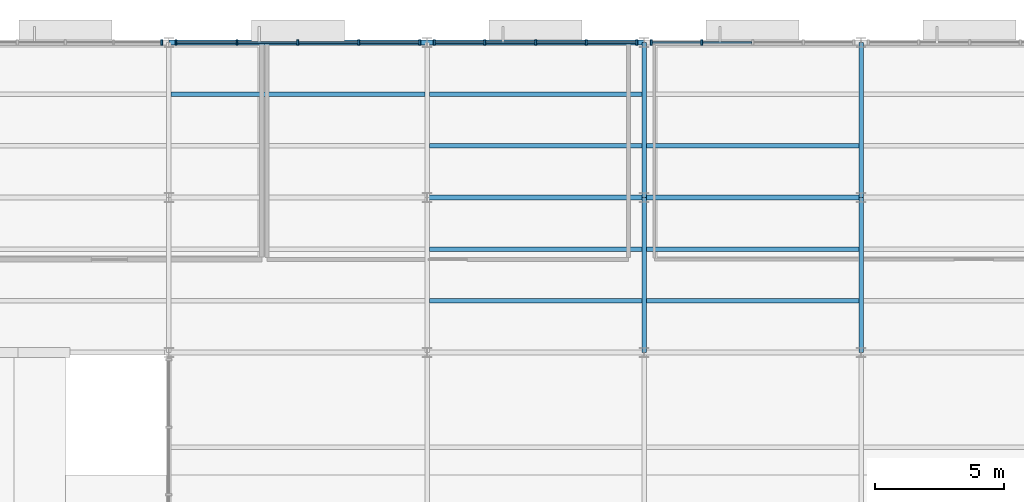
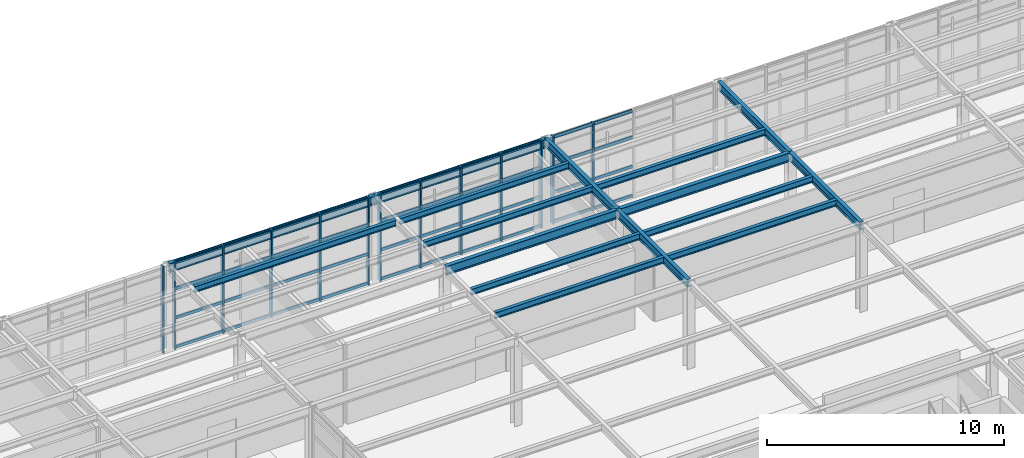
# One storey, part 35 of 82: 53 members, 16 beams, 4 elements without a shape of their own.
"""IFC4 building model written with IfcOpenShell, lengths in metres."""

from ifc_helpers import new_model, si_unit, direction, frame, origin, origin_2d, place, context, subcontext, project, spatial, rectangle, i_section, extrude, material, layer, layer_set, material_profile, profile_set, type_object, element, aggregate, save


model = new_model("IFC4")

# Units and contexts
model_context = context("Model", 3, precision=1e-05, world=origin(), true_north=direction((0.0, 1.0)))
body_context = subcontext(model_context, "Body", "Model", "MODEL_VIEW")
ifc_project = project(units=[si_unit("LENGTHUNIT", "METRE"), si_unit("AREAUNIT", "SQUARE_METRE"), si_unit("VOLUMEUNIT", "CUBIC_METRE"), si_unit("PLANEANGLEUNIT", "RADIAN"), si_unit("MASSUNIT", "GRAM", prefix="KILO")], contexts=[model_context])

# Site, building, storey
site_placement = place(None, origin())
site = spatial("IfcSite", under=ifc_project, at=site_placement, CompositionType="ELEMENT")
building_placement = place(site_placement, origin())
building = spatial("IfcBuilding", under=site, at=building_placement, Name="Sitalva Quay Ferry Terminal", CompositionType="ELEMENT")
storey_placement = place(building_placement, frame((0.0, 0.0, 5.39990234375)))
storey = spatial("IfcBuildingStorey", under=building, at=storey_placement, Name="L02", CompositionType="ELEMENT", Elevation=5.39990234375)

# Beams
ifc_material_1 = material(Name="Structural Steel S355JR", Category="steel")
ifc_material_profile_1 = material_profile(ifc_material_1, i_section(OverallWidth=0.180908203125, OverallDepth=0.4169921875, WebThickness=0.010986328125, FlangeThickness=0.018310546875, FilletRadius=0.012939453125, at=origin_2d()), Name="W410x85")
ifc_profile_set_1 = profile_set([ifc_material_profile_1], Name="Structural Steel S355JR")
beam_type_1 = type_object("IfcBeamType", Name="Beam_W410x85", PredefinedType="BEAM", material=ifc_profile_set_1)
for number, where, z_axis, x_axis, name in (
    (1, (92.39990234375, 100.0, 4.29150390625), (0.0, 1.0, 0.0), (-1.0, 0.0, 0.0), "L02 Primary Y girder 1026"),
    (2, (100.800048828125, 100.0, 4.29150390625), (0.0, 1.0, 0.0), (-1.0, 0.0, 0.0), "L02 Primary Y girder 1029"),
    (3, (92.39990234375, 106.0, 4.29150390625), (0.0, 1.0, 0.0), (-1.0, 0.0, 0.0), "L02 Primary Y girder 1171"),
    (4, (100.800048828125, 106.0, 4.29150390625), (0.0, 1.0, 0.0), (-1.0, 0.0, 0.0), "L02 Primary Y girder 1172"),
):
    element("IfcBeam", number, at=place(storey_placement, frame(where, z_axis=z_axis, x_axis=x_axis)), inside=storey, type_object=beam_type_1, Name=name, PredefinedType="BEAM", context=body_context, shape_type="SweptSolid", body=[
        extrude(i_section(OverallWidth=0.180908203125, OverallDepth=0.4169921875, WebThickness=0.010986328125, FlangeThickness=0.018310546875, FilletRadius=0.012939453125, at=origin_2d()), origin(), (0.0, 0.0, 1.0), 6.0),
    ])
ifc_material_2 = material(Name="Structural Steel S355JR", Category="steel")
ifc_material_profile_2 = material_profile(ifc_material_2, i_section(OverallWidth=0.19091796875, OverallDepth=0.4599609375, WebThickness=0.010009765625, FlangeThickness=0.01611328125, FilletRadius=0.013916015625, at=origin_2d()), Name="W460x82")
ifc_profile_set_2 = profile_set([ifc_material_profile_2], Name="Structural Steel S355JR")
beam_type_2 = type_object("IfcBeamType", Name="Beam_W460x82", PredefinedType="BEAM", material=ifc_profile_set_2)
beam_1_placement = place(storey_placement, frame((84.0, 106.0, 4.27001953125), z_axis=(1.0, 0.0, 0.0), x_axis=(0.0, 1.0, 0.0)))
element("IfcBeam", 5, at=beam_1_placement, inside=storey, type_object=beam_type_2, Name="L02 Primary X girder 1013", PredefinedType="BEAM", context=body_context, shape_type="SweptSolid", body=[
    extrude(i_section(OverallWidth=0.19091796875, OverallDepth=0.4599609375, WebThickness=0.010009765625, FlangeThickness=0.01611328125, FilletRadius=0.013916015625, at=origin_2d()), origin(), (0.0, 0.0, 1.0), 8.39990234375),
])
beam_2_placement = place(storey_placement, frame((92.39990234375, 106.0, 4.27001953125), z_axis=(1.0, 0.0, 0.0), x_axis=(0.0, 1.0, 0.0)))
element("IfcBeam", 6, at=beam_2_placement, inside=storey, type_object=beam_type_2, Name="L02 Primary X girder 1014", PredefinedType="BEAM", context=body_context, shape_type="SweptSolid", body=[
    extrude(i_section(OverallWidth=0.19091796875, OverallDepth=0.4599609375, WebThickness=0.010009765625, FlangeThickness=0.01611328125, FilletRadius=0.013916015625, at=origin_2d()), origin(), (0.0, 0.0, 1.0), 8.400146484375),
])
beam_3_placement = place(storey_placement, frame((74.0, 112.0, 4.27001953125), z_axis=(1.0, 0.0, 0.0), x_axis=(0.0, 1.0, 0.0)))
element("IfcBeam", 7, at=beam_3_placement, inside=storey, type_object=beam_type_2, Name="L02 Primary X girder 1165", PredefinedType="BEAM", context=body_context, shape_type="SweptSolid", body=[
    extrude(i_section(OverallWidth=0.19091796875, OverallDepth=0.4599609375, WebThickness=0.010009765625, FlangeThickness=0.01611328125, FilletRadius=0.013916015625, at=origin_2d()), origin(), (0.0, 0.0, 1.0), 10.0),
])
beam_4_placement = place(storey_placement, frame((84.0, 112.0, 4.27001953125), z_axis=(1.0, 0.0, 0.0), x_axis=(0.0, 1.0, 0.0)))
element("IfcBeam", 8, at=beam_4_placement, inside=storey, type_object=beam_type_2, Name="L02 Primary X girder 1166", PredefinedType="BEAM", context=body_context, shape_type="SweptSolid", body=[
    extrude(i_section(OverallWidth=0.19091796875, OverallDepth=0.4599609375, WebThickness=0.010009765625, FlangeThickness=0.01611328125, FilletRadius=0.013916015625, at=origin_2d()), origin(), (0.0, 0.0, 1.0), 8.39990234375),
])
ifc_material_3 = material(Name="Structural Steel S355JR", Category="steel")
ifc_material_profile_3 = material_profile(ifc_material_3, i_section(OverallWidth=0.166015625, OverallDepth=0.31298828125, WebThickness=0.006591796875, FlangeThickness=0.01123046875, FilletRadius=0.010986328125, at=origin_2d()), Name="W310x45")
ifc_profile_set_3 = profile_set([ifc_material_profile_3], Name="Structural Steel S355JR")
beam_type_3 = type_object("IfcBeamType", Name="Joist_W310x45", PredefinedType="JOIST", material=ifc_profile_set_3)
for number, where, z_axis, x_axis, name in (
    (9, (84.090576171875, 102.0, 4.343505859375), (1.0, 0.0, 0.0), (0.0, 1.0, 0.0), "L02 Secondary joist 1058"),
    (10, (92.490478515625, 102.0, 4.343505859375), (1.0, 0.0, 0.0), (0.0, 1.0, 0.0), "L02 Secondary joist 1059"),
    (11, (84.090576171875, 104.0, 4.343505859375), (1.0, 0.0, 0.0), (0.0, 1.0, 0.0), "L02 Secondary joist 1064"),
    (12, (92.490478515625, 104.0, 4.343505859375), (1.0, 0.0, 0.0), (0.0, 1.0, 0.0), "L02 Secondary joist 1065"),
    (13, (84.090576171875, 108.0, 4.343505859375), (1.0, 0.0, 0.0), (0.0, 1.0, 0.0), "L02 Secondary joist 1176"),
    (14, (92.490478515625, 108.0, 4.343505859375), (1.0, 0.0, 0.0), (0.0, 1.0, 0.0), "L02 Secondary joist 1177"),
):
    element("IfcBeam", number, at=place(storey_placement, frame(where, z_axis=z_axis, x_axis=x_axis)), inside=storey, type_object=beam_type_3, Name=name, PredefinedType="JOIST", context=body_context, shape_type="SweptSolid", body=[
        extrude(i_section(OverallWidth=0.166015625, OverallDepth=0.31298828125, WebThickness=0.006591796875, FlangeThickness=0.01123046875, FilletRadius=0.010986328125, at=origin_2d()), origin(), (0.0, 0.0, 1.0), 8.218994140625),
    ])
beam_5_placement = place(storey_placement, frame((74.090576171875, 110.0, 4.343505859375), z_axis=(1.0, 0.0, 0.0), x_axis=(0.0, 1.0, 0.0)))
element("IfcBeam", 15, at=beam_5_placement, inside=storey, type_object=beam_type_3, Name="L02 Secondary joist 1180", PredefinedType="JOIST", context=body_context, shape_type="SweptSolid", body=[
    extrude(i_section(OverallWidth=0.166015625, OverallDepth=0.31298828125, WebThickness=0.006591796875, FlangeThickness=0.01123046875, FilletRadius=0.010986328125, at=origin_2d()), origin(), (0.0, 0.0, 1.0), 9.81884765625),
])
beam_6_placement = place(storey_placement, frame((84.090576171875, 110.0, 4.343505859375), z_axis=(1.0, 0.0, 0.0), x_axis=(0.0, 1.0, 0.0)))
element("IfcBeam", 16, at=beam_6_placement, inside=storey, type_object=beam_type_3, Name="L02 Secondary joist 1181", PredefinedType="JOIST", context=body_context, shape_type="SweptSolid", body=[
    extrude(i_section(OverallWidth=0.166015625, OverallDepth=0.31298828125, WebThickness=0.006591796875, FlangeThickness=0.01123046875, FilletRadius=0.010986328125, at=origin_2d()), origin(), (0.0, 0.0, 1.0), 8.218994140625),
])

# Curtain wall, member
ifc_material_4 = material(Name="Anodised Aluminium & Low-E Glazing", Category="aluminium")
ifc_layer = layer(ifc_material_4, 0.159912109375)
ifc_layer_set = layer_set([ifc_layer], Name="Anodised Aluminium & Low-E Glazing")
curtain_wall_type = type_object("IfcCurtainWallType", Name="CW_Office_Unitised", PredefinedType="USERDEFINED", material=ifc_layer_set)
curtain_wall_1_placement = place(storey_placement, origin())
curtain_wall_1 = element("IfcCurtainWall", 17, at=curtain_wall_1_placement, inside=storey, type_object=curtain_wall_type, Name="L02 forecourt horizontal curtain wall (CW-L02-118)", ObjectType="CURTAIN_WALL", PredefinedType="USERDEFINED")
ifc_material_5 = material(Name="Anodised Aluminium 6063-T6", Category="aluminium")
ifc_material_profile_4 = material_profile(ifc_material_5, rectangle(XDim=0.074951171875, YDim=0.219970703125, at=origin_2d()), Name="ALU75x220")
ifc_profile_set_4 = profile_set([ifc_material_profile_4], Name="Anodised Aluminium 6063-T6")
member_type_1 = type_object("IfcMemberType", Name="Mullion_Alu_75x160", PredefinedType="MULLION", material=ifc_profile_set_4)
member_1_placement = place(storey_placement, frame((73.719970703125, 112.0, 0.0), z_axis=(0.0, 0.0, 1.0), x_axis=(1.0, 0.0, 0.0)))
member_1 = element("IfcMember", 18, at=member_1_placement, type_object=member_type_1, Name="CW-L02-118-M4", PredefinedType="MULLION", context=body_context, shape_type="SweptSolid", body=[
    extrude(rectangle(XDim=0.074951171875, YDim=0.219970703125, at=origin_2d()), origin(), (0.0, 0.0, 1.0), 4.4501953125),
])
aggregate(curtain_wall_1, [member_1])

# Curtain wall, members
curtain_wall_2_placement = place(storey_placement, origin())
curtain_wall_2 = element("IfcCurtainWall", 19, at=curtain_wall_2_placement, inside=storey, type_object=curtain_wall_type, Name="L02 forecourt horizontal curtain wall (CW-L02-119)", ObjectType="CURTAIN_WALL", PredefinedType="USERDEFINED")
member_2_placement = place(storey_placement, frame((74.280029296875, 112.0, 0.0), z_axis=(0.0, 0.0, 1.0), x_axis=(1.0, 0.0, 0.0)))
member_2 = element("IfcMember", 20, at=member_2_placement, type_object=member_type_1, Name="CW-L02-119-M0", PredefinedType="MULLION", context=body_context, shape_type="SweptSolid", body=[
    extrude(rectangle(XDim=0.074951171875, YDim=0.219970703125, at=origin_2d()), origin(), (0.0, 0.0, 1.0), 4.5),
])
member_3_placement = place(storey_placement, frame((76.639892578125, 112.0, 0.0), z_axis=(0.0, 0.0, 1.0), x_axis=(1.0, 0.0, 0.0)))
member_3 = element("IfcMember", 21, at=member_3_placement, type_object=member_type_1, Name="CW-L02-119-M1", PredefinedType="MULLION", context=body_context, shape_type="SweptSolid", body=[
    extrude(rectangle(XDim=0.074951171875, YDim=0.219970703125, at=origin_2d()), origin(), (0.0, 0.0, 1.0), 4.5),
])
member_4_placement = place(storey_placement, frame((79.0, 112.0, 0.0), z_axis=(0.0, 0.0, 1.0), x_axis=(1.0, 0.0, 0.0)))
member_4 = element("IfcMember", 22, at=member_4_placement, type_object=member_type_1, Name="CW-L02-119-M2", PredefinedType="MULLION", context=body_context, shape_type="SweptSolid", body=[
    extrude(rectangle(XDim=0.074951171875, YDim=0.219970703125, at=origin_2d()), origin(), (0.0, 0.0, 1.0), 4.5),
])
member_5_placement = place(storey_placement, frame((81.360107421875, 112.0, 0.0), z_axis=(0.0, 0.0, 1.0), x_axis=(1.0, 0.0, 0.0)))
member_5 = element("IfcMember", 23, at=member_5_placement, type_object=member_type_1, Name="CW-L02-119-M3", PredefinedType="MULLION", context=body_context, shape_type="SweptSolid", body=[
    extrude(rectangle(XDim=0.074951171875, YDim=0.219970703125, at=origin_2d()), origin(), (0.0, 0.0, 1.0), 4.5),
])
member_6_placement = place(storey_placement, frame((83.719970703125, 112.0, 0.0), z_axis=(0.0, 0.0, 1.0), x_axis=(1.0, 0.0, 0.0)))
member_6 = element("IfcMember", 24, at=member_6_placement, type_object=member_type_1, Name="CW-L02-119-M4", PredefinedType="MULLION", context=body_context, shape_type="SweptSolid", body=[
    extrude(rectangle(XDim=0.074951171875, YDim=0.219970703125, at=origin_2d()), origin(), (0.0, 0.0, 1.0), 4.5),
])

curtain_wall_3_placement = place(storey_placement, origin())
curtain_wall_3 = element("IfcCurtainWall", 25, at=curtain_wall_3_placement, inside=storey, type_object=curtain_wall_type, Name="L02 forecourt horizontal curtain wall (CW-L02-120)", ObjectType="CURTAIN_WALL", PredefinedType="USERDEFINED")
member_7_placement = place(storey_placement, frame((84.280029296875, 112.0, 0.0), z_axis=(0.0, 0.0, 1.0), x_axis=(1.0, 0.0, 0.0)))
member_7 = element("IfcMember", 26, at=member_7_placement, type_object=member_type_1, Name="CW-L02-120-M0", PredefinedType="MULLION", context=body_context, shape_type="SweptSolid", body=[
    extrude(rectangle(XDim=0.074951171875, YDim=0.219970703125, at=origin_2d()), origin(), (0.0, 0.0, 1.0), 4.5),
])
member_8_placement = place(storey_placement, frame((86.239990234375, 112.0, 0.0), z_axis=(0.0, 0.0, 1.0), x_axis=(1.0, 0.0, 0.0)))
member_8 = element("IfcMember", 27, at=member_8_placement, type_object=member_type_1, Name="CW-L02-120-M1", PredefinedType="MULLION", context=body_context, shape_type="SweptSolid", body=[
    extrude(rectangle(XDim=0.074951171875, YDim=0.219970703125, at=origin_2d()), origin(), (0.0, 0.0, 1.0), 4.5),
])
member_9_placement = place(storey_placement, frame((88.199951171875, 112.0, 0.0), z_axis=(0.0, 0.0, 1.0), x_axis=(1.0, 0.0, 0.0)))
member_9 = element("IfcMember", 28, at=member_9_placement, type_object=member_type_1, Name="CW-L02-120-M2", PredefinedType="MULLION", context=body_context, shape_type="SweptSolid", body=[
    extrude(rectangle(XDim=0.074951171875, YDim=0.219970703125, at=origin_2d()), origin(), (0.0, 0.0, 1.0), 4.5),
])
member_10_placement = place(storey_placement, frame((90.159912109375, 112.0, 0.0), z_axis=(0.0, 0.0, 1.0), x_axis=(1.0, 0.0, 0.0)))
member_10 = element("IfcMember", 29, at=member_10_placement, type_object=member_type_1, Name="CW-L02-120-M3", PredefinedType="MULLION", context=body_context, shape_type="SweptSolid", body=[
    extrude(rectangle(XDim=0.074951171875, YDim=0.219970703125, at=origin_2d()), origin(), (0.0, 0.0, 1.0), 4.5),
])
member_11_placement = place(storey_placement, frame((92.1201171875, 112.0, 0.0), z_axis=(0.0, 0.0, 1.0), x_axis=(1.0, 0.0, 0.0)))
member_11 = element("IfcMember", 30, at=member_11_placement, type_object=member_type_1, Name="CW-L02-120-M4", PredefinedType="MULLION", context=body_context, shape_type="SweptSolid", body=[
    extrude(rectangle(XDim=0.074951171875, YDim=0.219970703125, at=origin_2d()), origin(), (0.0, 0.0, 1.0), 4.5),
])

curtain_wall_4_placement = place(storey_placement, origin())
curtain_wall_4 = element("IfcCurtainWall", 31, at=curtain_wall_4_placement, inside=storey, type_object=curtain_wall_type, Name="L02 forecourt horizontal curtain wall (CW-L02-121)", ObjectType="CURTAIN_WALL", PredefinedType="USERDEFINED")
member_12_placement = place(storey_placement, frame((92.679931640625, 112.0, 0.0), z_axis=(0.0, 0.0, 1.0), x_axis=(1.0, 0.0, 0.0)))
member_12 = element("IfcMember", 32, at=member_12_placement, type_object=member_type_1, Name="CW-L02-121-M0", PredefinedType="MULLION", context=body_context, shape_type="SweptSolid", body=[
    extrude(rectangle(XDim=0.074951171875, YDim=0.219970703125, at=origin_2d()), origin(), (0.0, 0.0, 1.0), 4.5),
])
member_13_placement = place(storey_placement, frame((94.639892578125, 112.0, 0.0), z_axis=(0.0, 0.0, 1.0), x_axis=(1.0, 0.0, 0.0)))
member_13 = element("IfcMember", 33, at=member_13_placement, type_object=member_type_1, Name="CW-L02-121-M1", PredefinedType="MULLION", context=body_context, shape_type="SweptSolid", body=[
    extrude(rectangle(XDim=0.074951171875, YDim=0.219970703125, at=origin_2d()), origin(), (0.0, 0.0, 1.0), 4.5),
])

# Member
ifc_material_6 = material(Name="Anodised Aluminium 6063-T6", Category="aluminium")
ifc_material_profile_5 = material_profile(ifc_material_6, rectangle(XDim=0.074951171875, YDim=0.14990234375, at=origin_2d()), Name="ALU75x150")
ifc_profile_set_5 = profile_set([ifc_material_profile_5], Name="Anodised Aluminium 6063-T6")
member_type_2 = type_object("IfcMemberType", Name="Transom_Alu_75x140", PredefinedType="MULLION", material=ifc_profile_set_5)
member_14_placement = place(storey_placement, frame((74.3173828125, 112.0, 0.0751953125), z_axis=(1.0, 0.0, 0.0), x_axis=(0.0, 1.0, 0.0)))
member_14 = element("IfcMember", 34, at=member_14_placement, type_object=member_type_2, Name="CW-L02-119-T0-0", ObjectType="TRANSOM", PredefinedType="USERDEFINED", context=body_context, shape_type="SweptSolid", body=[
    extrude(rectangle(XDim=0.074951171875, YDim=0.14990234375, at=origin_2d()), origin(), (0.0, 0.0, 1.0), 2.28515625),
])

member_15_placement = place(storey_placement, frame((74.3173828125, 112.0, 1.5751953125), z_axis=(1.0, 0.0, 0.0), x_axis=(0.0, 1.0, 0.0)))
member_15 = element("IfcMember", 35, at=member_15_placement, type_object=member_type_2, Name="CW-L02-119-T0-1", ObjectType="TRANSOM", PredefinedType="USERDEFINED", context=body_context, shape_type="SweptSolid", body=[
    extrude(rectangle(XDim=0.074951171875, YDim=0.14990234375, at=origin_2d()), origin(), (0.0, 0.0, 1.0), 2.28515625),
])

member_16_placement = place(storey_placement, frame((74.3173828125, 112.0, 3.0751953125), z_axis=(1.0, 0.0, 0.0), x_axis=(0.0, 1.0, 0.0)))
member_16 = element("IfcMember", 36, at=member_16_placement, type_object=member_type_2, Name="CW-L02-119-T0-2", ObjectType="TRANSOM", PredefinedType="USERDEFINED", context=body_context, shape_type="SweptSolid", body=[
    extrude(rectangle(XDim=0.074951171875, YDim=0.14990234375, at=origin_2d()), origin(), (0.0, 0.0, 1.0), 2.28515625),
])

member_17_placement = place(storey_placement, frame((74.3173828125, 112.0, 4.425048828125), z_axis=(1.0, 0.0, 0.0), x_axis=(0.0, 1.0, 0.0)))
member_17 = element("IfcMember", 37, at=member_17_placement, type_object=member_type_2, Name="CW-L02-119-T0-3", ObjectType="TRANSOM", PredefinedType="USERDEFINED", context=body_context, shape_type="SweptSolid", body=[
    extrude(rectangle(XDim=0.074951171875, YDim=0.14990234375, at=origin_2d()), origin(), (0.0, 0.0, 1.0), 2.28515625),
])

member_18_placement = place(storey_placement, frame((76.677490234375, 112.0, 0.0751953125), z_axis=(1.0, 0.0, 0.0), x_axis=(0.0, 1.0, 0.0)))
member_18 = element("IfcMember", 38, at=member_18_placement, type_object=member_type_2, Name="CW-L02-119-T1-0", ObjectType="TRANSOM", PredefinedType="USERDEFINED", context=body_context, shape_type="SweptSolid", body=[
    extrude(rectangle(XDim=0.074951171875, YDim=0.14990234375, at=origin_2d()), origin(), (0.0, 0.0, 1.0), 2.284912109375),
])

member_19_placement = place(storey_placement, frame((76.677490234375, 112.0, 1.5751953125), z_axis=(1.0, 0.0, 0.0), x_axis=(0.0, 1.0, 0.0)))
member_19 = element("IfcMember", 39, at=member_19_placement, type_object=member_type_2, Name="CW-L02-119-T1-1", ObjectType="TRANSOM", PredefinedType="USERDEFINED", context=body_context, shape_type="SweptSolid", body=[
    extrude(rectangle(XDim=0.074951171875, YDim=0.14990234375, at=origin_2d()), origin(), (0.0, 0.0, 1.0), 2.284912109375),
])

member_20_placement = place(storey_placement, frame((76.677490234375, 112.0, 3.0751953125), z_axis=(1.0, 0.0, 0.0), x_axis=(0.0, 1.0, 0.0)))
member_20 = element("IfcMember", 40, at=member_20_placement, type_object=member_type_2, Name="CW-L02-119-T1-2", ObjectType="TRANSOM", PredefinedType="USERDEFINED", context=body_context, shape_type="SweptSolid", body=[
    extrude(rectangle(XDim=0.074951171875, YDim=0.14990234375, at=origin_2d()), origin(), (0.0, 0.0, 1.0), 2.284912109375),
])

member_21_placement = place(storey_placement, frame((76.677490234375, 112.0, 4.425048828125), z_axis=(1.0, 0.0, 0.0), x_axis=(0.0, 1.0, 0.0)))
member_21 = element("IfcMember", 41, at=member_21_placement, type_object=member_type_2, Name="CW-L02-119-T1-3", ObjectType="TRANSOM", PredefinedType="USERDEFINED", context=body_context, shape_type="SweptSolid", body=[
    extrude(rectangle(XDim=0.074951171875, YDim=0.14990234375, at=origin_2d()), origin(), (0.0, 0.0, 1.0), 2.284912109375),
])

member_22_placement = place(storey_placement, frame((79.03759765625, 112.0, 0.0751953125), z_axis=(1.0, 0.0, 0.0), x_axis=(0.0, 1.0, 0.0)))
member_22 = element("IfcMember", 42, at=member_22_placement, type_object=member_type_2, Name="CW-L02-119-T2-0", ObjectType="TRANSOM", PredefinedType="USERDEFINED", context=body_context, shape_type="SweptSolid", body=[
    extrude(rectangle(XDim=0.074951171875, YDim=0.14990234375, at=origin_2d()), origin(), (0.0, 0.0, 1.0), 2.284912109375),
])

member_23_placement = place(storey_placement, frame((79.03759765625, 112.0, 1.5751953125), z_axis=(1.0, 0.0, 0.0), x_axis=(0.0, 1.0, 0.0)))
member_23 = element("IfcMember", 43, at=member_23_placement, type_object=member_type_2, Name="CW-L02-119-T2-1", ObjectType="TRANSOM", PredefinedType="USERDEFINED", context=body_context, shape_type="SweptSolid", body=[
    extrude(rectangle(XDim=0.074951171875, YDim=0.14990234375, at=origin_2d()), origin(), (0.0, 0.0, 1.0), 2.284912109375),
])

member_24_placement = place(storey_placement, frame((79.03759765625, 112.0, 3.0751953125), z_axis=(1.0, 0.0, 0.0), x_axis=(0.0, 1.0, 0.0)))
member_24 = element("IfcMember", 44, at=member_24_placement, type_object=member_type_2, Name="CW-L02-119-T2-2", ObjectType="TRANSOM", PredefinedType="USERDEFINED", context=body_context, shape_type="SweptSolid", body=[
    extrude(rectangle(XDim=0.074951171875, YDim=0.14990234375, at=origin_2d()), origin(), (0.0, 0.0, 1.0), 2.284912109375),
])

member_25_placement = place(storey_placement, frame((79.03759765625, 112.0, 4.425048828125), z_axis=(1.0, 0.0, 0.0), x_axis=(0.0, 1.0, 0.0)))
member_25 = element("IfcMember", 45, at=member_25_placement, type_object=member_type_2, Name="CW-L02-119-T2-3", ObjectType="TRANSOM", PredefinedType="USERDEFINED", context=body_context, shape_type="SweptSolid", body=[
    extrude(rectangle(XDim=0.074951171875, YDim=0.14990234375, at=origin_2d()), origin(), (0.0, 0.0, 1.0), 2.284912109375),
])

member_26_placement = place(storey_placement, frame((81.3974609375, 112.0, 0.0751953125), z_axis=(1.0, 0.0, 0.0), x_axis=(0.0, 1.0, 0.0)))
member_26 = element("IfcMember", 46, at=member_26_placement, type_object=member_type_2, Name="CW-L02-119-T3-0", ObjectType="TRANSOM", PredefinedType="USERDEFINED", context=body_context, shape_type="SweptSolid", body=[
    extrude(rectangle(XDim=0.074951171875, YDim=0.14990234375, at=origin_2d()), origin(), (0.0, 0.0, 1.0), 2.28515625),
])

member_27_placement = place(storey_placement, frame((81.3974609375, 112.0, 1.5751953125), z_axis=(1.0, 0.0, 0.0), x_axis=(0.0, 1.0, 0.0)))
member_27 = element("IfcMember", 47, at=member_27_placement, type_object=member_type_2, Name="CW-L02-119-T3-1", ObjectType="TRANSOM", PredefinedType="USERDEFINED", context=body_context, shape_type="SweptSolid", body=[
    extrude(rectangle(XDim=0.074951171875, YDim=0.14990234375, at=origin_2d()), origin(), (0.0, 0.0, 1.0), 2.28515625),
])

member_28_placement = place(storey_placement, frame((81.3974609375, 112.0, 3.0751953125), z_axis=(1.0, 0.0, 0.0), x_axis=(0.0, 1.0, 0.0)))
member_28 = element("IfcMember", 48, at=member_28_placement, type_object=member_type_2, Name="CW-L02-119-T3-2", ObjectType="TRANSOM", PredefinedType="USERDEFINED", context=body_context, shape_type="SweptSolid", body=[
    extrude(rectangle(XDim=0.074951171875, YDim=0.14990234375, at=origin_2d()), origin(), (0.0, 0.0, 1.0), 2.28515625),
])

member_29_placement = place(storey_placement, frame((81.3974609375, 112.0, 4.425048828125), z_axis=(1.0, 0.0, 0.0), x_axis=(0.0, 1.0, 0.0)))
member_29 = element("IfcMember", 49, at=member_29_placement, type_object=member_type_2, Name="CW-L02-119-T3-3", ObjectType="TRANSOM", PredefinedType="USERDEFINED", context=body_context, shape_type="SweptSolid", body=[
    extrude(rectangle(XDim=0.074951171875, YDim=0.14990234375, at=origin_2d()), origin(), (0.0, 0.0, 1.0), 2.28515625),
])

aggregate(curtain_wall_2, [member_2, member_3, member_4, member_5, member_6, member_14, member_15, member_16, member_17, member_18, member_19, member_20, member_21, member_22, member_23, member_24, member_25, member_26, member_27, member_28, member_29])

member_30_placement = place(storey_placement, frame((84.3173828125, 112.0, 0.0751953125), z_axis=(1.0, 0.0, 0.0), x_axis=(0.0, 1.0, 0.0)))
member_30 = element("IfcMember", 50, at=member_30_placement, type_object=member_type_2, Name="CW-L02-120-T0-0", ObjectType="TRANSOM", PredefinedType="USERDEFINED", context=body_context, shape_type="SweptSolid", body=[
    extrude(rectangle(XDim=0.074951171875, YDim=0.14990234375, at=origin_2d()), origin(), (0.0, 0.0, 1.0), 1.885009765625),
])

member_31_placement = place(storey_placement, frame((84.3173828125, 112.0, 1.5751953125), z_axis=(1.0, 0.0, 0.0), x_axis=(0.0, 1.0, 0.0)))
member_31 = element("IfcMember", 51, at=member_31_placement, type_object=member_type_2, Name="CW-L02-120-T0-1", ObjectType="TRANSOM", PredefinedType="USERDEFINED", context=body_context, shape_type="SweptSolid", body=[
    extrude(rectangle(XDim=0.074951171875, YDim=0.14990234375, at=origin_2d()), origin(), (0.0, 0.0, 1.0), 1.885009765625),
])

member_32_placement = place(storey_placement, frame((84.3173828125, 112.0, 3.0751953125), z_axis=(1.0, 0.0, 0.0), x_axis=(0.0, 1.0, 0.0)))
member_32 = element("IfcMember", 52, at=member_32_placement, type_object=member_type_2, Name="CW-L02-120-T0-2", ObjectType="TRANSOM", PredefinedType="USERDEFINED", context=body_context, shape_type="SweptSolid", body=[
    extrude(rectangle(XDim=0.074951171875, YDim=0.14990234375, at=origin_2d()), origin(), (0.0, 0.0, 1.0), 1.885009765625),
])

member_33_placement = place(storey_placement, frame((84.3173828125, 112.0, 4.425048828125), z_axis=(1.0, 0.0, 0.0), x_axis=(0.0, 1.0, 0.0)))
member_33 = element("IfcMember", 53, at=member_33_placement, type_object=member_type_2, Name="CW-L02-120-T0-3", ObjectType="TRANSOM", PredefinedType="USERDEFINED", context=body_context, shape_type="SweptSolid", body=[
    extrude(rectangle(XDim=0.074951171875, YDim=0.14990234375, at=origin_2d()), origin(), (0.0, 0.0, 1.0), 1.885009765625),
])

member_34_placement = place(storey_placement, frame((86.277587890625, 112.0, 0.0751953125), z_axis=(1.0, 0.0, 0.0), x_axis=(0.0, 1.0, 0.0)))
member_34 = element("IfcMember", 54, at=member_34_placement, type_object=member_type_2, Name="CW-L02-120-T1-0", ObjectType="TRANSOM", PredefinedType="USERDEFINED", context=body_context, shape_type="SweptSolid", body=[
    extrude(rectangle(XDim=0.074951171875, YDim=0.14990234375, at=origin_2d()), origin(), (0.0, 0.0, 1.0), 1.885009765625),
])

member_35_placement = place(storey_placement, frame((86.277587890625, 112.0, 1.5751953125), z_axis=(1.0, 0.0, 0.0), x_axis=(0.0, 1.0, 0.0)))
member_35 = element("IfcMember", 55, at=member_35_placement, type_object=member_type_2, Name="CW-L02-120-T1-1", ObjectType="TRANSOM", PredefinedType="USERDEFINED", context=body_context, shape_type="SweptSolid", body=[
    extrude(rectangle(XDim=0.074951171875, YDim=0.14990234375, at=origin_2d()), origin(), (0.0, 0.0, 1.0), 1.885009765625),
])

member_36_placement = place(storey_placement, frame((86.277587890625, 112.0, 3.0751953125), z_axis=(1.0, 0.0, 0.0), x_axis=(0.0, 1.0, 0.0)))
member_36 = element("IfcMember", 56, at=member_36_placement, type_object=member_type_2, Name="CW-L02-120-T1-2", ObjectType="TRANSOM", PredefinedType="USERDEFINED", context=body_context, shape_type="SweptSolid", body=[
    extrude(rectangle(XDim=0.074951171875, YDim=0.14990234375, at=origin_2d()), origin(), (0.0, 0.0, 1.0), 1.885009765625),
])

member_37_placement = place(storey_placement, frame((86.277587890625, 112.0, 4.425048828125), z_axis=(1.0, 0.0, 0.0), x_axis=(0.0, 1.0, 0.0)))
member_37 = element("IfcMember", 57, at=member_37_placement, type_object=member_type_2, Name="CW-L02-120-T1-3", ObjectType="TRANSOM", PredefinedType="USERDEFINED", context=body_context, shape_type="SweptSolid", body=[
    extrude(rectangle(XDim=0.074951171875, YDim=0.14990234375, at=origin_2d()), origin(), (0.0, 0.0, 1.0), 1.885009765625),
])

member_38_placement = place(storey_placement, frame((88.237548828125, 112.0, 0.0751953125), z_axis=(1.0, 0.0, 0.0), x_axis=(0.0, 1.0, 0.0)))
member_38 = element("IfcMember", 58, at=member_38_placement, type_object=member_type_2, Name="CW-L02-120-T2-0", ObjectType="TRANSOM", PredefinedType="USERDEFINED", context=body_context, shape_type="SweptSolid", body=[
    extrude(rectangle(XDim=0.074951171875, YDim=0.14990234375, at=origin_2d()), origin(), (0.0, 0.0, 1.0), 1.885009765625),
])

member_39_placement = place(storey_placement, frame((88.237548828125, 112.0, 1.5751953125), z_axis=(1.0, 0.0, 0.0), x_axis=(0.0, 1.0, 0.0)))
member_39 = element("IfcMember", 59, at=member_39_placement, type_object=member_type_2, Name="CW-L02-120-T2-1", ObjectType="TRANSOM", PredefinedType="USERDEFINED", context=body_context, shape_type="SweptSolid", body=[
    extrude(rectangle(XDim=0.074951171875, YDim=0.14990234375, at=origin_2d()), origin(), (0.0, 0.0, 1.0), 1.885009765625),
])

member_40_placement = place(storey_placement, frame((88.237548828125, 112.0, 3.0751953125), z_axis=(1.0, 0.0, 0.0), x_axis=(0.0, 1.0, 0.0)))
member_40 = element("IfcMember", 60, at=member_40_placement, type_object=member_type_2, Name="CW-L02-120-T2-2", ObjectType="TRANSOM", PredefinedType="USERDEFINED", context=body_context, shape_type="SweptSolid", body=[
    extrude(rectangle(XDim=0.074951171875, YDim=0.14990234375, at=origin_2d()), origin(), (0.0, 0.0, 1.0), 1.885009765625),
])

member_41_placement = place(storey_placement, frame((88.237548828125, 112.0, 4.425048828125), z_axis=(1.0, 0.0, 0.0), x_axis=(0.0, 1.0, 0.0)))
member_41 = element("IfcMember", 61, at=member_41_placement, type_object=member_type_2, Name="CW-L02-120-T2-3", ObjectType="TRANSOM", PredefinedType="USERDEFINED", context=body_context, shape_type="SweptSolid", body=[
    extrude(rectangle(XDim=0.074951171875, YDim=0.14990234375, at=origin_2d()), origin(), (0.0, 0.0, 1.0), 1.885009765625),
])

member_42_placement = place(storey_placement, frame((90.197509765625, 112.0, 0.0751953125), z_axis=(1.0, 0.0, 0.0), x_axis=(0.0, 1.0, 0.0)))
member_42 = element("IfcMember", 62, at=member_42_placement, type_object=member_type_2, Name="CW-L02-120-T3-0", ObjectType="TRANSOM", PredefinedType="USERDEFINED", context=body_context, shape_type="SweptSolid", body=[
    extrude(rectangle(XDim=0.074951171875, YDim=0.14990234375, at=origin_2d()), origin(), (0.0, 0.0, 1.0), 1.885009765625),
])

member_43_placement = place(storey_placement, frame((90.197509765625, 112.0, 1.5751953125), z_axis=(1.0, 0.0, 0.0), x_axis=(0.0, 1.0, 0.0)))
member_43 = element("IfcMember", 63, at=member_43_placement, type_object=member_type_2, Name="CW-L02-120-T3-1", ObjectType="TRANSOM", PredefinedType="USERDEFINED", context=body_context, shape_type="SweptSolid", body=[
    extrude(rectangle(XDim=0.074951171875, YDim=0.14990234375, at=origin_2d()), origin(), (0.0, 0.0, 1.0), 1.885009765625),
])

member_44_placement = place(storey_placement, frame((90.197509765625, 112.0, 3.0751953125), z_axis=(1.0, 0.0, 0.0), x_axis=(0.0, 1.0, 0.0)))
member_44 = element("IfcMember", 64, at=member_44_placement, type_object=member_type_2, Name="CW-L02-120-T3-2", ObjectType="TRANSOM", PredefinedType="USERDEFINED", context=body_context, shape_type="SweptSolid", body=[
    extrude(rectangle(XDim=0.074951171875, YDim=0.14990234375, at=origin_2d()), origin(), (0.0, 0.0, 1.0), 1.885009765625),
])

member_45_placement = place(storey_placement, frame((90.197509765625, 112.0, 4.425048828125), z_axis=(1.0, 0.0, 0.0), x_axis=(0.0, 1.0, 0.0)))
member_45 = element("IfcMember", 65, at=member_45_placement, type_object=member_type_2, Name="CW-L02-120-T3-3", ObjectType="TRANSOM", PredefinedType="USERDEFINED", context=body_context, shape_type="SweptSolid", body=[
    extrude(rectangle(XDim=0.074951171875, YDim=0.14990234375, at=origin_2d()), origin(), (0.0, 0.0, 1.0), 1.885009765625),
])

aggregate(curtain_wall_3, [member_7, member_8, member_9, member_10, member_11, member_30, member_31, member_32, member_33, member_34, member_35, member_36, member_37, member_38, member_39, member_40, member_41, member_42, member_43, member_44, member_45])

member_46_placement = place(storey_placement, frame((92.717529296875, 112.0, 0.0751953125), z_axis=(1.0, 0.0, 0.0), x_axis=(0.0, 1.0, 0.0)))
member_46 = element("IfcMember", 66, at=member_46_placement, type_object=member_type_2, Name="CW-L02-121-T0-0", ObjectType="TRANSOM", PredefinedType="USERDEFINED", context=body_context, shape_type="SweptSolid", body=[
    extrude(rectangle(XDim=0.074951171875, YDim=0.14990234375, at=origin_2d()), origin(), (0.0, 0.0, 1.0), 1.885009765625),
])

member_47_placement = place(storey_placement, frame((92.717529296875, 112.0, 1.5751953125), z_axis=(1.0, 0.0, 0.0), x_axis=(0.0, 1.0, 0.0)))
member_47 = element("IfcMember", 67, at=member_47_placement, type_object=member_type_2, Name="CW-L02-121-T0-1", ObjectType="TRANSOM", PredefinedType="USERDEFINED", context=body_context, shape_type="SweptSolid", body=[
    extrude(rectangle(XDim=0.074951171875, YDim=0.14990234375, at=origin_2d()), origin(), (0.0, 0.0, 1.0), 1.885009765625),
])

member_48_placement = place(storey_placement, frame((92.717529296875, 112.0, 3.0751953125), z_axis=(1.0, 0.0, 0.0), x_axis=(0.0, 1.0, 0.0)))
member_48 = element("IfcMember", 68, at=member_48_placement, type_object=member_type_2, Name="CW-L02-121-T0-2", ObjectType="TRANSOM", PredefinedType="USERDEFINED", context=body_context, shape_type="SweptSolid", body=[
    extrude(rectangle(XDim=0.074951171875, YDim=0.14990234375, at=origin_2d()), origin(), (0.0, 0.0, 1.0), 1.885009765625),
])

member_49_placement = place(storey_placement, frame((92.717529296875, 112.0, 4.425048828125), z_axis=(1.0, 0.0, 0.0), x_axis=(0.0, 1.0, 0.0)))
member_49 = element("IfcMember", 69, at=member_49_placement, type_object=member_type_2, Name="CW-L02-121-T0-3", ObjectType="TRANSOM", PredefinedType="USERDEFINED", context=body_context, shape_type="SweptSolid", body=[
    extrude(rectangle(XDim=0.074951171875, YDim=0.14990234375, at=origin_2d()), origin(), (0.0, 0.0, 1.0), 1.885009765625),
])

member_50_placement = place(storey_placement, frame((94.677490234375, 112.0, 0.0751953125), z_axis=(1.0, 0.0, 0.0), x_axis=(0.0, 1.0, 0.0)))
member_50 = element("IfcMember", 70, at=member_50_placement, type_object=member_type_2, Name="CW-L02-121-T1-0", ObjectType="TRANSOM", PredefinedType="USERDEFINED", context=body_context, shape_type="SweptSolid", body=[
    extrude(rectangle(XDim=0.074951171875, YDim=0.14990234375, at=origin_2d()), origin(), (0.0, 0.0, 1.0), 1.885009765625),
])

member_51_placement = place(storey_placement, frame((94.677490234375, 112.0, 1.5751953125), z_axis=(1.0, 0.0, 0.0), x_axis=(0.0, 1.0, 0.0)))
member_51 = element("IfcMember", 71, at=member_51_placement, type_object=member_type_2, Name="CW-L02-121-T1-1", ObjectType="TRANSOM", PredefinedType="USERDEFINED", context=body_context, shape_type="SweptSolid", body=[
    extrude(rectangle(XDim=0.074951171875, YDim=0.14990234375, at=origin_2d()), origin(), (0.0, 0.0, 1.0), 1.885009765625),
])

member_52_placement = place(storey_placement, frame((94.677490234375, 112.0, 3.0751953125), z_axis=(1.0, 0.0, 0.0), x_axis=(0.0, 1.0, 0.0)))
member_52 = element("IfcMember", 72, at=member_52_placement, type_object=member_type_2, Name="CW-L02-121-T1-2", ObjectType="TRANSOM", PredefinedType="USERDEFINED", context=body_context, shape_type="SweptSolid", body=[
    extrude(rectangle(XDim=0.074951171875, YDim=0.14990234375, at=origin_2d()), origin(), (0.0, 0.0, 1.0), 1.885009765625),
])

member_53_placement = place(storey_placement, frame((94.677490234375, 112.0, 4.425048828125), z_axis=(1.0, 0.0, 0.0), x_axis=(0.0, 1.0, 0.0)))
member_53 = element("IfcMember", 73, at=member_53_placement, type_object=member_type_2, Name="CW-L02-121-T1-3", ObjectType="TRANSOM", PredefinedType="USERDEFINED", context=body_context, shape_type="SweptSolid", body=[
    extrude(rectangle(XDim=0.074951171875, YDim=0.14990234375, at=origin_2d()), origin(), (0.0, 0.0, 1.0), 1.885009765625),
])

aggregate(curtain_wall_4, [member_12, member_13, member_46, member_47, member_48, member_49, member_50, member_51, member_52, member_53])

save(model, "model.ifc")
